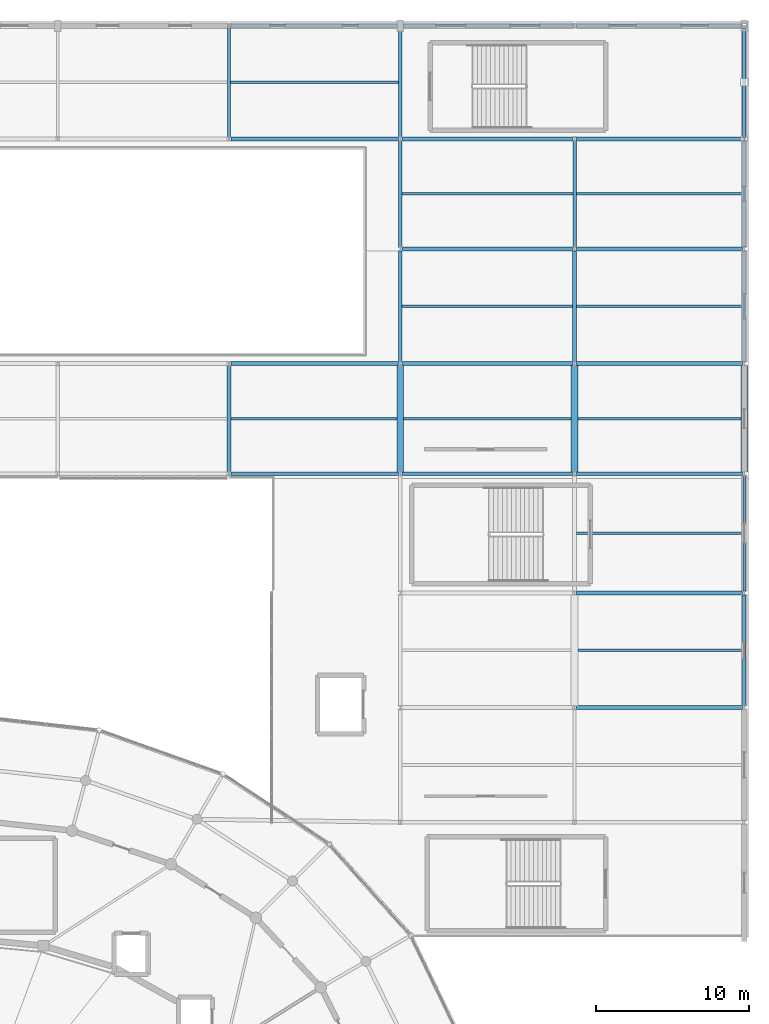
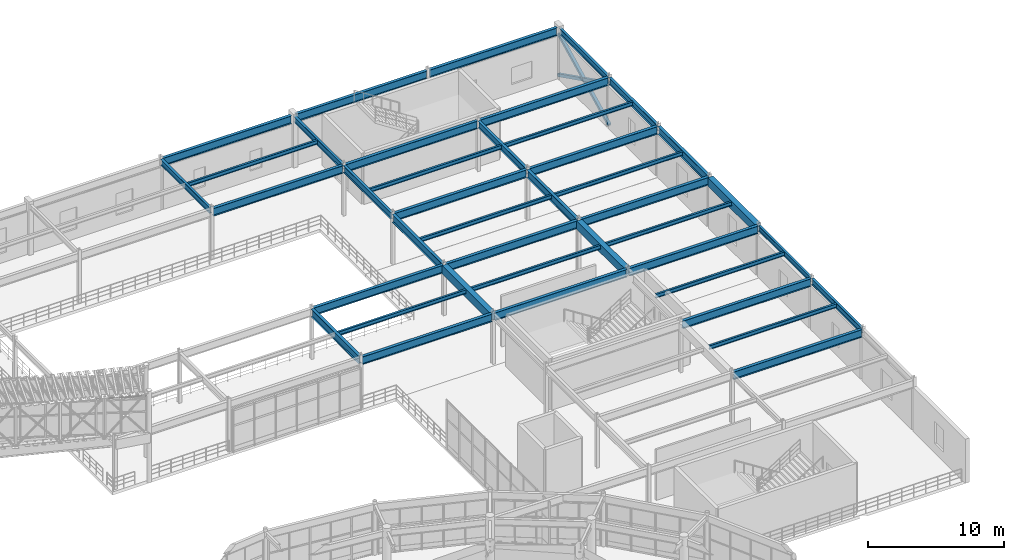
# One storey, part 78 of 144: 41 beams, 3 members.
"""IFC4 building model written with IfcOpenShell, lengths in metres."""

from ifc_helpers import new_model, si_unit, direction, frame, origin, origin_2d, place, context, subcontext, project, spatial, rectangle, hollow_rectangle, i_section, extrude, material, material_profile, profile_set, type_object, element, save


model = new_model("IFC4")

# Units and contexts
model_context = context("Model", 3, precision=1e-05, world=origin(), true_north=direction((0.0, 1.0)))
body_context = subcontext(model_context, "Body", "Model", "MODEL_VIEW")
ifc_project = project(units=[si_unit("LENGTHUNIT", "METRE"), si_unit("AREAUNIT", "SQUARE_METRE"), si_unit("VOLUMEUNIT", "CUBIC_METRE"), si_unit("PLANEANGLEUNIT", "RADIAN"), si_unit("MASSUNIT", "GRAM", prefix="KILO")], contexts=[model_context])

# Site, building, storey
site_placement = place(None, origin())
site = spatial("IfcSite", under=ifc_project, at=site_placement, CompositionType="ELEMENT")
building_placement = place(site_placement, origin())
building = spatial("IfcBuilding", under=site, at=building_placement, Name="Cinderbank Siding Concert Hall", CompositionType="ELEMENT")
storey_placement = place(building_placement, frame((0.0, 0.0, 5.39990234375)))
storey = spatial("IfcBuildingStorey", under=building, at=storey_placement, Name="L02", CompositionType="ELEMENT", Elevation=5.39990234375)

# Beams
ifc_material_1 = material(Name="Reinforced concrete AS 3600 N50 (50 MPa)", Category="concrete")
ifc_material_profile_1 = material_profile(ifc_material_1, rectangle(XDim=0.449951171875, YDim=0.75, at=origin_2d()), Name="RC-BM-450x750", Category="LoadBearing")
ifc_profile_set_1 = profile_set([ifc_material_profile_1], Name="Reinforced concrete AS 3600 N50 (50 MPa)")
beam_type_1 = type_object("IfcBeamType", Name="BM-RC750 RC-BM-450x750", PredefinedType="BEAM", material=ifc_profile_set_1)
for number, where, z_axis, x_axis, name in (
    (1, (150.39990234375, 88.719970703125, 4.1669921875), (0.0, 1.0, 0.0), (-1.0, 0.0, 0.0), "L02 Beam BM-RC750 #1549"),
    (2, (161.800048828125, 88.719970703125, 4.1669921875), (0.0, 1.0, 0.0), (-1.0, 0.0, 0.0), "L02 Beam BM-RC750 #1558"),
    (3, (172.89990234375, 88.719970703125, 4.1669921875), (0.0, 1.0, 0.0), (-1.0, 0.0, 0.0), "L02 Beam BM-RC750 #1565"),
):
    element("IfcBeam", number, at=place(storey_placement, frame(where, z_axis=z_axis, x_axis=x_axis)), inside=storey, type_object=beam_type_1, Name=name, PredefinedType="BEAM", context=body_context, shape_type="SweptSolid", body=[
        extrude(rectangle(XDim=0.449951171875, YDim=0.75, at=origin_2d()), origin(), (0.0, 0.0, 1.0), 6.9599609375),
    ])
ifc_material_2 = material(Name="Structural steel AS/NZS 3679.1 Grade 350 (340 MPa)", Category="steel")
ifc_material_profile_2 = material_profile(ifc_material_2, i_section(OverallWidth=0.18994140625, OverallDepth=0.45751953125, WebThickness=0.009033203125, FlangeThickness=0.014404296875, at=origin_2d()), Name="460UB74.6", Category="LoadBearing")
ifc_profile_set_2 = profile_set([ifc_material_profile_2], Name="Structural steel AS/NZS 3679.1 Grade 350 (340 MPa)")
beam_type_2 = type_object("IfcBeamType", Name="BM-UB460 460UB74.6", PredefinedType="BEAM", material=ifc_profile_set_2)
beam_1_placement = place(storey_placement, frame((172.89990234375, 80.9189453125, 4.3134765625), z_axis=(0.0, 1.0, 0.0), x_axis=(-1.0, 0.0, 0.0)))
element("IfcBeam", 4, at=beam_1_placement, inside=storey, type_object=beam_type_2, Name="L02 Beam BM-UB460 #1633", PredefinedType="BEAM", context=body_context, shape_type="SweptSolid", body=[
    extrude(i_section(OverallWidth=0.18994140625, OverallDepth=0.45751953125, WebThickness=0.009033203125, FlangeThickness=0.014404296875, at=origin_2d()), origin(), (0.0, 0.0, 1.0), 7.56103515625),
])
ifc_material_profile_3 = material_profile(ifc_material_2, i_section(OverallWidth=0.208984375, OverallDepth=0.5283203125, WebThickness=0.009521484375, FlangeThickness=0.01318359375, at=origin_2d()), Name="530UB82.0", Category="LoadBearing")
ifc_profile_set_3 = profile_set([ifc_material_profile_3], Name="Structural steel AS/NZS 3679.1 Grade 350 (340 MPa)")
beam_type_3 = type_object("IfcBeamType", Name="BM-UB530 530UB82.0", PredefinedType="BEAM", material=ifc_profile_set_3)
beam_2_placement = place(storey_placement, frame((139.199951171875, 110.6201171875, 4.278076171875), z_axis=(0.0, 1.0, 0.0), x_axis=(-1.0, 0.0, 0.0)))
element("IfcBeam", 5, at=beam_2_placement, inside=storey, type_object=beam_type_3, Name="L02 Beam BM-UB530 #1546", PredefinedType="BEAM", context=body_context, shape_type="SweptSolid", body=[
    extrude(i_section(OverallWidth=0.208984375, OverallDepth=0.5283203125, WebThickness=0.009521484375, FlangeThickness=0.01318359375, at=origin_2d()), origin(), (0.0, 0.0, 1.0), 7.159912109375),
])
for number, where, z_axis, x_axis, name in (
    (6, (150.39990234375, 110.6201171875, 4.278076171875), (0.0, 1.0, 0.0), (-1.0, 0.0, 0.0), "L02 Beam BM-UB530 #1555"),
    (7, (172.89990234375, 110.6201171875, 4.278076171875), (0.0, 1.0, 0.0), (-1.0, 0.0, 0.0), "L02 Beam BM-UB530 #1568"),
):
    element("IfcBeam", number, at=place(storey_placement, frame(where, z_axis=z_axis, x_axis=x_axis)), inside=storey, type_object=beam_type_3, Name=name, PredefinedType="BEAM", context=body_context, shape_type="SweptSolid", body=[
        extrude(i_section(OverallWidth=0.208984375, OverallDepth=0.5283203125, WebThickness=0.009521484375, FlangeThickness=0.01318359375, at=origin_2d()), origin(), (0.0, 0.0, 1.0), 7.087890625),
    ])
beam_3_placement = place(storey_placement, frame((172.89990234375, 73.4189453125, 4.2880859375), z_axis=(0.0, 1.0, 0.0), x_axis=(-1.0, 0.0, 0.0)))
element("IfcBeam", 8, at=beam_3_placement, inside=storey, type_object=beam_type_3, Name="L02 Beam BM-UB530 #1632", PredefinedType="BEAM", context=body_context, shape_type="SweptSolid", body=[
    extrude(i_section(OverallWidth=0.208984375, OverallDepth=0.5283203125, WebThickness=0.009521484375, FlangeThickness=0.01318359375, at=origin_2d()), origin(), (0.0, 0.0, 1.0), 7.261962890625),
])
ifc_material_profile_4 = material_profile(ifc_material_2, i_section(OverallWidth=0.22802734375, OverallDepth=0.602294921875, WebThickness=0.010498046875, FlangeThickness=0.014892578125, at=origin_2d()), Name="610UB101", Category="LoadBearing")
ifc_profile_set_4 = profile_set([ifc_material_profile_4], Name="Structural steel AS/NZS 3679.1 Grade 350 (340 MPa)")
beam_type_4 = type_object("IfcBeamType", Name="BM-UB610 610UB101", PredefinedType="BEAM", material=ifc_profile_set_4)
for number, where, z_axis, x_axis, name in (
    (9, (150.39990234375, 103.419921875, 4.240966796875), (0.0, 1.0, 0.0), (-1.0, 0.0, 0.0), "L02 Beam BM-UB610 #1553"),
    (10, (161.800048828125, 103.419921875, 4.240966796875), (0.0, 1.0, 0.0), (-1.0, 0.0, 0.0), "L02 Beam BM-UB610 #1562"),
    (11, (172.89990234375, 103.419921875, 4.240966796875), (0.0, 1.0, 0.0), (-1.0, 0.0, 0.0), "L02 Beam BM-UB610 #1567"),
):
    element("IfcBeam", number, at=place(storey_placement, frame(where, z_axis=z_axis, x_axis=x_axis)), inside=storey, type_object=beam_type_4, Name=name, PredefinedType="BEAM", context=body_context, shape_type="SweptSolid", body=[
        extrude(i_section(OverallWidth=0.22802734375, OverallDepth=0.602294921875, WebThickness=0.010498046875, FlangeThickness=0.014892578125, at=origin_2d()), origin(), (0.0, 0.0, 1.0), 6.9599609375),
    ])
ifc_material_3 = material(Name="Structural steel welded plate section AS/NZS 3679.2 / AS/NZS 3678 Grade 350 (340 MPa)", Category="steel")
ifc_material_profile_5 = material_profile(ifc_material_3, i_section(OverallWidth=0.25, OverallDepth=0.699951171875, WebThickness=0.010009765625, FlangeThickness=0.01611328125, at=origin_2d()), Name="700WB130", Category="LoadBearing")
ifc_profile_set_5 = profile_set([ifc_material_profile_5], Name="Structural steel welded plate section AS/NZS 3679.2 / AS/NZS 3678 Grade 350 (340 MPa)")
beam_type_5 = type_object("IfcBeamType", Name="BM-WB700 700WB130", PredefinedType="BEAM", material=ifc_profile_set_5)
beam_4_placement = place(storey_placement, frame((139.320068359375, 88.60009765625, 4.192138671875), z_axis=(1.0, 0.0, 0.0), x_axis=(0.0, 1.0, 0.0)))
element("IfcBeam", 12, at=beam_4_placement, inside=storey, type_object=beam_type_5, Name="L02 Beam BM-WB700 #1542", PredefinedType="BEAM", context=body_context, shape_type="SweptSolid", body=[
    extrude(i_section(OverallWidth=0.25, OverallDepth=0.699951171875, WebThickness=0.010009765625, FlangeThickness=0.01611328125, at=origin_2d()), origin(), (0.0, 0.0, 1.0), 10.9599609375),
])
beam_5_placement = place(storey_placement, frame((139.199951171875, 88.719970703125, 4.192138671875), z_axis=(0.0, 1.0, 0.0), x_axis=(-1.0, 0.0, 0.0)))
element("IfcBeam", 13, at=beam_5_placement, inside=storey, type_object=beam_type_5, Name="L02 Beam BM-WB700 #1543", PredefinedType="BEAM", context=body_context, shape_type="SweptSolid", body=[
    extrude(i_section(OverallWidth=0.25, OverallDepth=0.699951171875, WebThickness=0.010009765625, FlangeThickness=0.01611328125, at=origin_2d()), origin(), (0.0, 0.0, 1.0), 6.9599609375),
])
for number, where, z_axis, x_axis, name in (
    (14, (139.320068359375, 95.800048828125, 4.192138671875), (1.0, 0.0, 0.0), (0.0, 1.0, 0.0), "L02 Beam BM-WB700 #1544"),
    (15, (139.320068359375, 110.5, 4.192138671875), (1.0, 0.0, 0.0), (0.0, 1.0, 0.0), "L02 Beam BM-WB700 #1545"),
):
    element("IfcBeam", number, at=place(storey_placement, frame(where, z_axis=z_axis, x_axis=x_axis)), inside=storey, type_object=beam_type_5, Name=name, PredefinedType="BEAM", context=body_context, shape_type="SweptSolid", body=[
        extrude(i_section(OverallWidth=0.25, OverallDepth=0.699951171875, WebThickness=0.010009765625, FlangeThickness=0.01611328125, at=origin_2d()), origin(), (0.0, 0.0, 1.0), 10.9599609375),
    ])
beam_6_placement = place(storey_placement, frame((139.320068359375, 117.89990234375, 4.192138671875), z_axis=(1.0, 0.0, 0.0), x_axis=(0.0, 1.0, 0.0)))
element("IfcBeam", 16, at=beam_6_placement, inside=storey, type_object=beam_type_5, Name="L02 Beam BM-WB700 #1547", PredefinedType="BEAM", context=body_context, shape_type="SweptSolid", body=[
    extrude(i_section(OverallWidth=0.25, OverallDepth=0.699951171875, WebThickness=0.010009765625, FlangeThickness=0.01611328125, at=origin_2d()), origin(), (0.0, 0.0, 1.0), 10.887939453125),
])
for number, where, z_axis, x_axis, name in (
    (17, (150.52001953125, 88.60009765625, 4.192138671875), (1.0, 0.0, 0.0), (0.0, 1.0, 0.0), "L02 Beam BM-WB700 #1548"),
    (18, (150.52001953125, 95.800048828125, 4.192138671875), (1.0, 0.0, 0.0), (0.0, 1.0, 0.0), "L02 Beam BM-WB700 #1550"),
):
    element("IfcBeam", number, at=place(storey_placement, frame(where, z_axis=z_axis, x_axis=x_axis)), inside=storey, type_object=beam_type_5, Name=name, PredefinedType="BEAM", context=body_context, shape_type="SweptSolid", body=[
        extrude(i_section(OverallWidth=0.25, OverallDepth=0.699951171875, WebThickness=0.010009765625, FlangeThickness=0.01611328125, at=origin_2d()), origin(), (0.0, 0.0, 1.0), 11.159912109375),
    ])
beam_7_placement = place(storey_placement, frame((150.39990234375, 95.919921875, 4.192138671875), z_axis=(0.0, 1.0, 0.0), x_axis=(-1.0, 0.0, 0.0)))
element("IfcBeam", 19, at=beam_7_placement, inside=storey, type_object=beam_type_5, Name="L02 Beam BM-WB700 #1551", PredefinedType="BEAM", context=body_context, shape_type="SweptSolid", body=[
    extrude(i_section(OverallWidth=0.25, OverallDepth=0.699951171875, WebThickness=0.010009765625, FlangeThickness=0.01611328125, at=origin_2d()), origin(), (0.0, 0.0, 1.0), 7.260009765625),
])
for number, where, z_axis, x_axis, name in (
    (20, (150.52001953125, 103.300048828125, 4.192138671875), (1.0, 0.0, 0.0), (0.0, 1.0, 0.0), "L02 Beam BM-WB700 #1552"),
    (21, (150.52001953125, 110.5, 4.192138671875), (1.0, 0.0, 0.0), (0.0, 1.0, 0.0), "L02 Beam BM-WB700 #1554"),
):
    element("IfcBeam", number, at=place(storey_placement, frame(where, z_axis=z_axis, x_axis=x_axis)), inside=storey, type_object=beam_type_5, Name=name, PredefinedType="BEAM", context=body_context, shape_type="SweptSolid", body=[
        extrude(i_section(OverallWidth=0.25, OverallDepth=0.699951171875, WebThickness=0.010009765625, FlangeThickness=0.01611328125, at=origin_2d()), origin(), (0.0, 0.0, 1.0), 11.159912109375),
    ])
beam_8_placement = place(storey_placement, frame((150.592041015625, 117.89990234375, 4.192138671875), z_axis=(1.0, 0.0, 0.0), x_axis=(0.0, 1.0, 0.0)))
element("IfcBeam", 22, at=beam_8_placement, inside=storey, type_object=beam_type_5, Name="L02 Beam BM-WB700 #1556", PredefinedType="BEAM", context=body_context, shape_type="SweptSolid", body=[
    extrude(i_section(OverallWidth=0.25, OverallDepth=0.699951171875, WebThickness=0.010009765625, FlangeThickness=0.01611328125, at=origin_2d()), origin(), (0.0, 0.0, 1.0), 11.087890625),
])
for number, where, z_axis, x_axis, name in (
    (23, (161.919921875, 88.60009765625, 4.192138671875), (1.0, 0.0, 0.0), (0.0, 1.0, 0.0), "L02 Beam BM-WB700 #1557"),
    (24, (161.919921875, 95.800048828125, 4.192138671875), (1.0, 0.0, 0.0), (0.0, 1.0, 0.0), "L02 Beam BM-WB700 #1559"),
):
    element("IfcBeam", number, at=place(storey_placement, frame(where, z_axis=z_axis, x_axis=x_axis)), inside=storey, type_object=beam_type_5, Name=name, PredefinedType="BEAM", context=body_context, shape_type="SweptSolid", body=[
        extrude(i_section(OverallWidth=0.25, OverallDepth=0.699951171875, WebThickness=0.010009765625, FlangeThickness=0.01611328125, at=origin_2d()), origin(), (0.0, 0.0, 1.0), 10.860107421875),
    ])
beam_9_placement = place(storey_placement, frame((161.800048828125, 95.919921875, 4.192138671875), z_axis=(0.0, 1.0, 0.0), x_axis=(-1.0, 0.0, 0.0)))
element("IfcBeam", 25, at=beam_9_placement, inside=storey, type_object=beam_type_5, Name="L02 Beam BM-WB700 #1560", PredefinedType="BEAM", context=body_context, shape_type="SweptSolid", body=[
    extrude(i_section(OverallWidth=0.25, OverallDepth=0.699951171875, WebThickness=0.010009765625, FlangeThickness=0.01611328125, at=origin_2d()), origin(), (0.0, 0.0, 1.0), 7.260009765625),
])
for number, where, z_axis, x_axis, name in (
    (26, (161.919921875, 103.300048828125, 4.192138671875), (1.0, 0.0, 0.0), (0.0, 1.0, 0.0), "L02 Beam BM-WB700 #1561"),
    (27, (161.919921875, 110.5, 4.192138671875), (1.0, 0.0, 0.0), (0.0, 1.0, 0.0), "L02 Beam BM-WB700 #1563"),
):
    element("IfcBeam", number, at=place(storey_placement, frame(where, z_axis=z_axis, x_axis=x_axis)), inside=storey, type_object=beam_type_5, Name=name, PredefinedType="BEAM", context=body_context, shape_type="SweptSolid", body=[
        extrude(i_section(OverallWidth=0.25, OverallDepth=0.699951171875, WebThickness=0.010009765625, FlangeThickness=0.01611328125, at=origin_2d()), origin(), (0.0, 0.0, 1.0), 10.860107421875),
    ])
beam_10_placement = place(storey_placement, frame((161.919921875, 117.89990234375, 4.192138671875), z_axis=(1.0, 0.0, 0.0), x_axis=(0.0, 1.0, 0.0)))
element("IfcBeam", 28, at=beam_10_placement, inside=storey, type_object=beam_type_5, Name="L02 Beam BM-WB700 #1564", PredefinedType="BEAM", context=body_context, shape_type="SweptSolid", body=[
    extrude(i_section(OverallWidth=0.25, OverallDepth=0.699951171875, WebThickness=0.010009765625, FlangeThickness=0.01611328125, at=origin_2d()), origin(), (0.0, 0.0, 1.0), 10.7880859375),
])
beam_11_placement = place(storey_placement, frame((172.89990234375, 95.919921875, 4.192138671875), z_axis=(0.0, 1.0, 0.0), x_axis=(-1.0, 0.0, 0.0)))
element("IfcBeam", 29, at=beam_11_placement, inside=storey, type_object=beam_type_5, Name="L02 Beam BM-WB700 #1566", PredefinedType="BEAM", context=body_context, shape_type="SweptSolid", body=[
    extrude(i_section(OverallWidth=0.25, OverallDepth=0.699951171875, WebThickness=0.010009765625, FlangeThickness=0.01611328125, at=origin_2d()), origin(), (0.0, 0.0, 1.0), 7.260009765625),
])
for number, where, z_axis, x_axis, name in (
    (30, (161.9189453125, 73.300048828125, 4.2021484375), (1.0, 0.0, 0.0), (0.0, 1.0, 0.0), "L02 Beam BM-WB700 #1627"),
    (31, (161.9189453125, 80.800048828125, 4.2021484375), (1.0, 0.0, 0.0), (0.0, 1.0, 0.0), "L02 Beam BM-WB700 #1629"),
):
    element("IfcBeam", number, at=place(storey_placement, frame(where, z_axis=z_axis, x_axis=x_axis)), inside=storey, type_object=beam_type_5, Name=name, PredefinedType="BEAM", context=body_context, shape_type="SweptSolid", body=[
        extrude(i_section(OverallWidth=0.25, OverallDepth=0.699951171875, WebThickness=0.010009765625, FlangeThickness=0.01611328125, at=origin_2d()), origin(), (0.0, 0.0, 1.0), 10.862060546875),
    ])

# Members
ifc_material_4 = material(Name="Structural steel hollow section AS/NZS 1163 Grade C350L0 (350 MPa)", Category="steel")
ifc_material_profile_6 = material_profile(ifc_material_4, hollow_rectangle(XDim=0.25, YDim=0.25, WallThickness=0.010009765625, at=origin_2d()), Name="250x250x10.0SHS", Category="LoadBearing")
ifc_profile_set_6 = profile_set([ifc_material_profile_6], Name="Structural steel hollow section AS/NZS 1163 Grade C350L0 (350 MPa)")
member_type = type_object("IfcMemberType", Name="BR-SHS250 250x250x10.0SHS Roof Truss", PredefinedType="BRACE", material=ifc_profile_set_6)
member_placement = place(storey_placement, frame((172.89990234375, 110.5, 0.2001953125), z_axis=(0.0, 0.894427191, 0.4472135955), x_axis=(-1.0, 0.0, 0.0)))
element("IfcMember", 32, at=member_placement, inside=storey, type_object=member_type, Name="L02 Diagonal Brace BR-SHS250 #LBR-BR-SHS250-L02-2528", PredefinedType="BRACE", context=body_context, shape_type="SweptSolid", body=[
    extrude(hollow_rectangle(XDim=0.25, YDim=0.25, WallThickness=0.010009765625, at=origin_2d()), origin(), (0.0, 0.0, 1.0), 8.2734375),
])
for number, where, z_axis, x_axis, name in (
    (33, (172.89990234375, 117.89990234375, 0.2001953125), (0.0, -0.894427191, 0.4472135955), (1.0, 0.0, 0.0), "L02 Diagonal Brace BR-SHS250 #LBR-BR-SHS250-L02-2529"),
    (34, (172.89990234375, 114.1865234375, 2.056884765625), (0.0, -0.894427191, 0.4472135955), (1.0, 0.0, 0.0), "L02 Diagonal Brace BR-SHS250 #LBR-BR-SHS250-L02-2529-S232"),
):
    element("IfcMember", number, at=place(storey_placement, frame(where, z_axis=z_axis, x_axis=x_axis)), inside=storey, type_object=member_type, Name=name, PredefinedType="BRACE", context=body_context, shape_type="SweptSolid", body=[
        extrude(hollow_rectangle(XDim=0.25, YDim=0.25, WallThickness=0.010009765625, at=origin_2d()), origin(), (0.0, 0.0, 1.0), 4.12158203125),
    ])

# Beams
ifc_material_profile_7 = material_profile(ifc_material_2, i_section(OverallWidth=0.1708984375, OverallDepth=0.35205078125, WebThickness=0.0068359375, FlangeThickness=0.009765625, at=origin_2d()), Name="360UB44.7", Category="LoadBearing")
ifc_profile_set_7 = profile_set([ifc_material_profile_7], Name="Structural steel AS/NZS 3679.1 Grade 350 (340 MPa)")
beam_type_6 = type_object("IfcBeamType", Name="JS-UB360 360UB44.7", PredefinedType="JOIST", material=ifc_profile_set_7)
beam_12_placement = place(storey_placement, frame((139.31689453125, 92.199951171875, 4.3662109375), z_axis=(1.0, 0.0, 0.0), x_axis=(0.0, 1.0, 0.0)))
element("IfcBeam", 35, at=beam_12_placement, inside=storey, type_object=beam_type_6, Name="L02 Beam JS-UB360 #1670", PredefinedType="JOIST", context=body_context, shape_type="SweptSolid", body=[
    extrude(i_section(OverallWidth=0.1708984375, OverallDepth=0.35205078125, WebThickness=0.0068359375, FlangeThickness=0.009765625, at=origin_2d()), origin(), (0.0, 0.0, 1.0), 10.8662109375),
])
beam_13_placement = place(storey_placement, frame((139.29638671875, 114.199951171875, 4.3662109375), z_axis=(1.0, 0.0, 0.0), x_axis=(0.0, 1.0, 0.0)))
element("IfcBeam", 36, at=beam_13_placement, inside=storey, type_object=beam_type_6, Name="L02 Beam JS-UB360 #1671", PredefinedType="JOIST", context=body_context, shape_type="SweptSolid", body=[
    extrude(i_section(OverallWidth=0.1708984375, OverallDepth=0.35205078125, WebThickness=0.0068359375, FlangeThickness=0.009765625, at=origin_2d()), origin(), (0.0, 0.0, 1.0), 11.007080078125),
])
beam_14_placement = place(storey_placement, frame((150.616943359375, 92.199951171875, 4.3662109375), z_axis=(1.0, 0.0, 0.0), x_axis=(0.0, 1.0, 0.0)))
element("IfcBeam", 37, at=beam_14_placement, inside=storey, type_object=beam_type_6, Name="L02 Beam JS-UB360 #1672", PredefinedType="JOIST", context=body_context, shape_type="SweptSolid", body=[
    extrude(i_section(OverallWidth=0.1708984375, OverallDepth=0.35205078125, WebThickness=0.0068359375, FlangeThickness=0.009765625, at=origin_2d()), origin(), (0.0, 0.0, 1.0), 10.966064453125),
])
beam_15_placement = place(storey_placement, frame((150.51708984375, 99.550048828125, 4.3662109375), z_axis=(1.0, 0.0, 0.0), x_axis=(0.0, 1.0, 0.0)))
element("IfcBeam", 38, at=beam_15_placement, inside=storey, type_object=beam_type_6, Name="L02 Beam JS-UB360 #1673", PredefinedType="JOIST", context=body_context, shape_type="SweptSolid", body=[
    extrude(i_section(OverallWidth=0.1708984375, OverallDepth=0.35205078125, WebThickness=0.0068359375, FlangeThickness=0.009765625, at=origin_2d()), origin(), (0.0, 0.0, 1.0), 11.166015625),
])
beam_16_placement = place(storey_placement, frame((150.506103515625, 106.89990234375, 4.3662109375), z_axis=(1.0, 0.0, 0.0), x_axis=(0.0, 1.0, 0.0)))
element("IfcBeam", 39, at=beam_16_placement, inside=storey, type_object=beam_type_6, Name="L02 Beam JS-UB360 #1674", PredefinedType="JOIST", context=body_context, shape_type="SweptSolid", body=[
    extrude(i_section(OverallWidth=0.1708984375, OverallDepth=0.35205078125, WebThickness=0.0068359375, FlangeThickness=0.009765625, at=origin_2d()), origin(), (0.0, 0.0, 1.0), 11.18798828125),
])
beam_17_placement = place(storey_placement, frame((162.01708984375, 92.199951171875, 4.3662109375), z_axis=(1.0, 0.0, 0.0), x_axis=(0.0, 1.0, 0.0)))
element("IfcBeam", 40, at=beam_17_placement, inside=storey, type_object=beam_type_6, Name="L02 Beam JS-UB360 #1675", PredefinedType="JOIST", context=body_context, shape_type="SweptSolid", body=[
    extrude(i_section(OverallWidth=0.1708984375, OverallDepth=0.35205078125, WebThickness=0.0068359375, FlangeThickness=0.009765625, at=origin_2d()), origin(), (0.0, 0.0, 1.0), 10.666015625),
])
beam_18_placement = place(storey_placement, frame((161.9169921875, 99.550048828125, 4.3662109375), z_axis=(1.0, 0.0, 0.0), x_axis=(0.0, 1.0, 0.0)))
element("IfcBeam", 41, at=beam_18_placement, inside=storey, type_object=beam_type_6, Name="L02 Beam JS-UB360 #1676", PredefinedType="JOIST", context=body_context, shape_type="SweptSolid", body=[
    extrude(i_section(OverallWidth=0.1708984375, OverallDepth=0.35205078125, WebThickness=0.0068359375, FlangeThickness=0.009765625, at=origin_2d()), origin(), (0.0, 0.0, 1.0), 10.865966796875),
])
beam_19_placement = place(storey_placement, frame((161.906005859375, 106.89990234375, 4.3662109375), z_axis=(1.0, 0.0, 0.0), x_axis=(0.0, 1.0, 0.0)))
element("IfcBeam", 42, at=beam_19_placement, inside=storey, type_object=beam_type_6, Name="L02 Beam JS-UB360 #1677", PredefinedType="JOIST", context=body_context, shape_type="SweptSolid", body=[
    extrude(i_section(OverallWidth=0.1708984375, OverallDepth=0.35205078125, WebThickness=0.0068359375, FlangeThickness=0.009765625, at=origin_2d()), origin(), (0.0, 0.0, 1.0), 10.887939453125),
])
beam_20_placement = place(storey_placement, frame((162.01708984375, 77.050048828125, 4.3759765625), z_axis=(1.0, 0.0, 0.0), x_axis=(0.0, 1.0, 0.0)))
element("IfcBeam", 43, at=beam_20_placement, inside=storey, type_object=beam_type_6, Name="L02 Beam JS-UB360 #1693", PredefinedType="JOIST", context=body_context, shape_type="SweptSolid", body=[
    extrude(i_section(OverallWidth=0.1708984375, OverallDepth=0.35205078125, WebThickness=0.0068359375, FlangeThickness=0.009765625, at=origin_2d()), origin(), (0.0, 0.0, 1.0), 10.786376953125),
])
beam_21_placement = place(storey_placement, frame((161.9169921875, 84.699951171875, 4.3759765625), z_axis=(1.0, 0.0, 0.0), x_axis=(0.0, 1.0, 0.0)))
element("IfcBeam", 44, at=beam_21_placement, inside=storey, type_object=beam_type_6, Name="L02 Beam JS-UB360 #1694", PredefinedType="JOIST", context=body_context, shape_type="SweptSolid", body=[
    extrude(i_section(OverallWidth=0.1708984375, OverallDepth=0.35205078125, WebThickness=0.0068359375, FlangeThickness=0.009765625, at=origin_2d()), origin(), (0.0, 0.0, 1.0), 10.89599609375),
])

save(model, "model.ifc")
